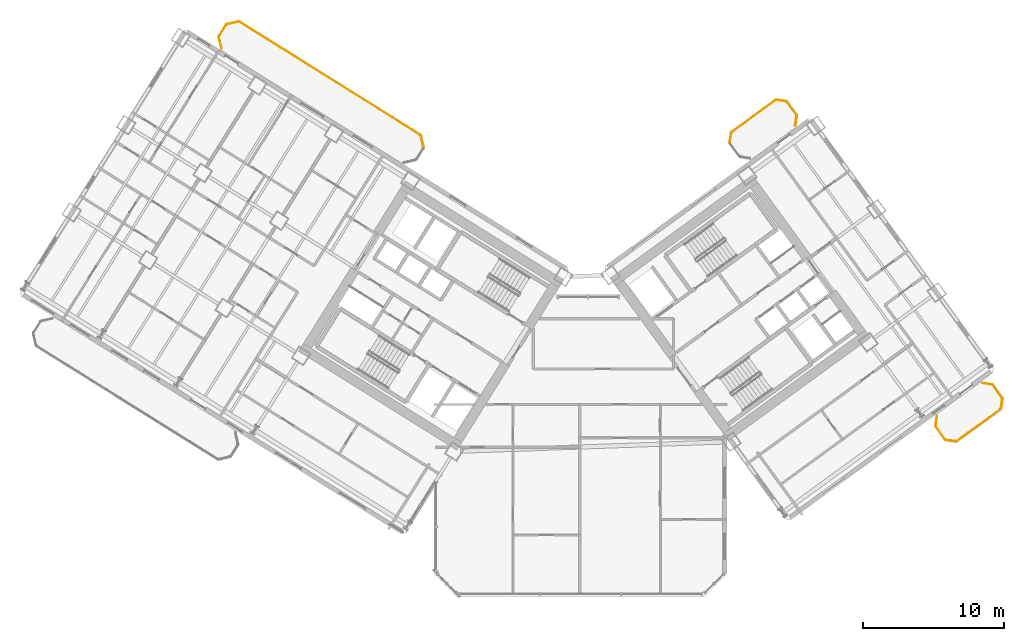
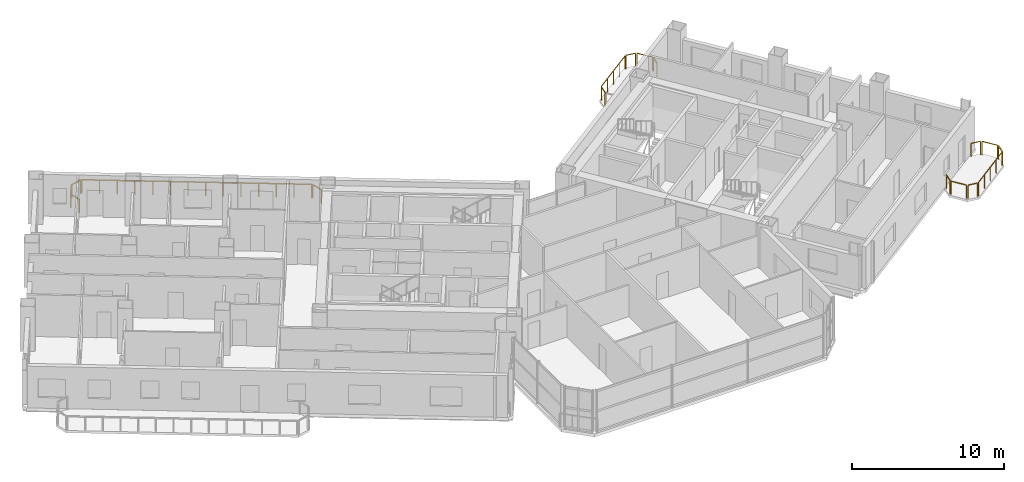
# One storey, part 24 of 24: 17 railings.
"""IFC4 building model written with IfcOpenShell, lengths in metres."""

from ifc_helpers import new_model, si_unit, direction, frame, origin, origin_2d, place, context, subcontext, project, spatial, rectangle, extrude, source, transform, mapped, material, type_object, element, save


model = new_model("IFC4")

# Units and contexts
model_context = context("Model", 3, precision=1e-05, world=origin(), true_north=direction((0.0, 1.0)))
body_context = subcontext(model_context, "Body", "Model", "MODEL_VIEW")
ifc_project = project(units=[si_unit("LENGTHUNIT", "METRE"), si_unit("AREAUNIT", "SQUARE_METRE"), si_unit("VOLUMEUNIT", "CUBIC_METRE"), si_unit("PLANEANGLEUNIT", "RADIAN"), si_unit("MASSUNIT", "GRAM", prefix="KILO")], contexts=[model_context])

# Site, building, storey
site_placement = place(None, origin())
site = spatial("IfcSite", under=ifc_project, at=site_placement, CompositionType="ELEMENT")
building_placement = place(site_placement, origin())
building = spatial("IfcBuilding", under=site, at=building_placement, Name="Tlacorven Tower", CompositionType="ELEMENT")
storey_placement = place(building_placement, frame((0.0, 0.0, 45.60009765625)))
storey = spatial("IfcBuildingStorey", under=building, at=storey_placement, Name="L11", CompositionType="ELEMENT", Elevation=45.60009765625)

# Railings
ifc_material = material(Name="Aluminium and painted steel balustrade", Category="steel")
railing_type = type_object("IfcRailingType", Name="RL-BAL-1100", PredefinedType="BALUSTRADE", material=ifc_material)
shared_shape_1 = source(origin(), body_context, "Body", "SweptSolid", [
    extrude(rectangle(XDim=0.048095703125, YDim=0.048095703125, at=origin_2d()), frame((0.0, 0.0, 1.076171875), z_axis=(0.225058334816, -0.974345290916, 0.0), x_axis=(0.974345290916, 0.225058334816, 0.0)), (0.0, 0.0, 1.0), 0.80712890625),
    extrude(rectangle(XDim=0.0419921875, YDim=0.0419921875, at=origin_2d()), origin(), (0.0, 0.0, 1.0), 1.052001953125),
    extrude(rectangle(XDim=0.0419921875, YDim=0.0419921875, at=origin_2d()), frame((0.181640625, -0.786376953125, 0.0)), (0.0, 0.0, 1.0), 1.052001953125),
])
railing_1_placement = place(storey_placement, frame((30.6796875, 34.466064453125, 0.0)))
element("IfcRailing", 1, at=railing_1_placement, inside=storey, type_object=railing_type, Name="BAL-L11-W-IN Guard Railing 1", PredefinedType="BALUSTRADE", context=body_context, shape_type="MappedRepresentation", body=[
    mapped(shared_shape_1, transform((0.0, 0.0, 0.0), scale=1.0)),
])
shared_shape_2 = source(origin(), body_context, "Body", "SweptSolid", [
    extrude(rectangle(XDim=0.048095703125, YDim=0.048095703125, at=origin_2d()), frame((0.0, 0.0, 1.076171875), z_axis=(-0.225058334816, 0.974345290916, 0.0), x_axis=(-0.974345290916, -0.225058334816, 0.0)), (0.0, 0.0, 1.0), 0.80712890625),
    extrude(rectangle(XDim=0.0419921875, YDim=0.0419921875, at=origin_2d()), origin(), (0.0, 0.0, 1.0), 1.052001953125),
    extrude(rectangle(XDim=0.0419921875, YDim=0.0419921875, at=origin_2d()), frame((-0.181640625, 0.786376953125, 0.0)), (0.0, 0.0, 1.0), 1.052001953125),
])
railing_2_placement = place(storey_placement, frame((16.5361328125, 40.68115234375, 0.0)))
element("IfcRailing", 2, at=railing_2_placement, inside=storey, type_object=railing_type, Name="BAL-L11-W-IN Guard Railing 4", PredefinedType="BALUSTRADE", context=body_context, shape_type="MappedRepresentation", body=[
    mapped(shared_shape_2, transform((0.0, 0.0, 0.0), scale=1.0)),
])
shared_shape_3 = source(origin(), body_context, "Body", "SweptSolid", [
    extrude(rectangle(XDim=0.048095703125, YDim=0.048095703125, at=origin_2d()), frame((0.0, 0.0, 1.076171875), z_axis=(0.52987865805, 0.848073468364, 0.0), x_axis=(-0.848073468364, 0.52987865805, 0.0)), (0.0, 0.0, 1.0), 0.912353515625),
    extrude(rectangle(XDim=0.0419921875, YDim=0.0419921875, at=origin_2d()), origin(), (0.0, 0.0, 1.0), 1.052001953125),
    extrude(rectangle(XDim=0.0419921875, YDim=0.0419921875, at=origin_2d()), frame((0.4833984375, 0.773681640625, 0.0)), (0.0, 0.0, 1.0), 1.052001953125),
])
railing_3_placement = place(storey_placement, frame((16.369873046875, 41.55859375, 0.0)))
element("IfcRailing", 3, at=railing_3_placement, inside=storey, type_object=railing_type, Name="BAL-L11-W-IN Guard Railing 5", PredefinedType="BALUSTRADE", context=body_context, shape_type="MappedRepresentation", body=[
    mapped(shared_shape_3, transform((0.0, 0.0, 0.0), scale=1.0)),
])
shared_shape_4 = source(origin(), body_context, "Body", "SweptSolid", [
    extrude(rectangle(XDim=0.048095703125, YDim=0.048095703125, at=origin_2d()), frame((0.0, 0.0, 1.076171875), z_axis=(0.974411586182, 0.224771129628, 0.0), x_axis=(-0.224771129628, 0.974411586182, 0.0)), (0.0, 0.0, 1.0), 0.80712890625),
    extrude(rectangle(XDim=0.0419921875, YDim=0.0419921875, at=origin_2d()), origin(), (0.0, 0.0, 1.0), 1.052001953125),
    extrude(rectangle(XDim=0.0419921875, YDim=0.0419921875, at=origin_2d()), frame((0.786376953125, 0.181396484375, 0.0)), (0.0, 0.0, 1.0), 1.052001953125),
])
railing_4_placement = place(storey_placement, frame((16.928466796875, 42.385986328125, 0.0)))
element("IfcRailing", 4, at=railing_4_placement, inside=storey, type_object=railing_type, Name="BAL-L11-W-IN Guard Railing 6", PredefinedType="BALUSTRADE", context=body_context, shape_type="MappedRepresentation", body=[
    mapped(shared_shape_4, transform((0.0, 0.0, 0.0), scale=1.0)),
])
shared_shape_5 = source(origin(), body_context, "Body", "SweptSolid", [
    extrude(rectangle(XDim=0.048095703125, YDim=0.048095703125, at=origin_2d()), frame((0.0, 0.0, 1.076171875), z_axis=(0.848044572804, -0.529924902733, 0.0), x_axis=(0.529924902733, 0.848044572804, 0.0)), (0.0, 0.0, 1.0), 15.1171875),
    extrude(rectangle(XDim=0.0419921875, YDim=0.0419921875, at=origin_2d()), origin(), (0.0, 0.0, 1.0), 1.052001953125),
    extrude(rectangle(XDim=0.0419921875, YDim=0.0419921875, at=origin_2d()), frame((0.986083984375, -0.6162109375, 0.0)), (0.0, 0.0, 1.0), 1.052001953125),
    extrude(rectangle(XDim=0.0419921875, YDim=0.0419921875, at=origin_2d()), frame((1.972412109375, -1.232421875, 0.0)), (0.0, 0.0, 1.0), 1.052001953125),
    extrude(rectangle(XDim=0.0419921875, YDim=0.0419921875, at=origin_2d()), frame((2.95849609375, -1.8486328125, 0.0)), (0.0, 0.0, 1.0), 1.052001953125),
    extrude(rectangle(XDim=0.0419921875, YDim=0.0419921875, at=origin_2d()), frame((3.944580078125, -2.46484375, 0.0)), (0.0, 0.0, 1.0), 1.052001953125),
    extrude(rectangle(XDim=0.0419921875, YDim=0.0419921875, at=origin_2d()), frame((4.930908203125, -3.0810546875, 0.0)), (0.0, 0.0, 1.0), 1.052001953125),
    extrude(rectangle(XDim=0.0419921875, YDim=0.0419921875, at=origin_2d()), frame((5.9169921875, -3.697265625, 0.0)), (0.0, 0.0, 1.0), 1.052001953125),
    extrude(rectangle(XDim=0.0419921875, YDim=0.0419921875, at=origin_2d()), frame((6.903076171875, -4.313720703125, 0.0)), (0.0, 0.0, 1.0), 1.052001953125),
    extrude(rectangle(XDim=0.0419921875, YDim=0.0419921875, at=origin_2d()), frame((7.88916015625, -4.929931640625, 0.0)), (0.0, 0.0, 1.0), 1.052001953125),
    extrude(rectangle(XDim=0.0419921875, YDim=0.0419921875, at=origin_2d()), frame((8.87548828125, -5.546142578125, 0.0)), (0.0, 0.0, 1.0), 1.052001953125),
    extrude(rectangle(XDim=0.0419921875, YDim=0.0419921875, at=origin_2d()), frame((9.861572265625, -6.162353515625, 0.0)), (0.0, 0.0, 1.0), 1.052001953125),
    extrude(rectangle(XDim=0.0419921875, YDim=0.0419921875, at=origin_2d()), frame((10.84765625, -6.778564453125, 0.0)), (0.0, 0.0, 1.0), 1.052001953125),
    extrude(rectangle(XDim=0.0419921875, YDim=0.0419921875, at=origin_2d()), frame((11.833984375, -7.394775390625, 0.0)), (0.0, 0.0, 1.0), 1.052001953125),
    extrude(rectangle(XDim=0.0419921875, YDim=0.0419921875, at=origin_2d()), frame((12.820068359375, -8.010986328125, 0.0)), (0.0, 0.0, 1.0), 1.052001953125),
])
railing_5_placement = place(storey_placement, frame((17.805908203125, 42.55224609375, 0.0)))
element("IfcRailing", 5, at=railing_5_placement, inside=storey, type_object=railing_type, Name="BAL-L11-W-IN Guard Railing 7", PredefinedType="BALUSTRADE", context=body_context, shape_type="MappedRepresentation", body=[
    mapped(shared_shape_5, transform((0.0, 0.0, 0.0), scale=1.0)),
])
shared_shape_6 = source(origin(), body_context, "Body", "SweptSolid", [
    extrude(rectangle(XDim=0.048095703125, YDim=0.048095703125, at=origin_2d()), frame((0.0, 0.0, 1.076171875), z_axis=(-0.987661653326, 0.156602868908, 0.0), x_axis=(-0.156602868908, -0.987661653326, 0.0)), (0.0, 0.0, 1.0), 0.665771484375),
    extrude(rectangle(XDim=0.0419921875, YDim=0.0419921875, at=origin_2d()), origin(), (0.0, 0.0, 1.0), 1.052001953125),
    extrude(rectangle(XDim=0.0419921875, YDim=0.0419921875, at=origin_2d()), frame((-0.657470703125, 0.104248046875, 0.0)), (0.0, 0.0, 1.0), 1.052001953125),
])
railing_6_placement = place(storey_placement, frame((68.59521484375, 12.7919921875, 0.0)))
element("IfcRailing", 6, at=railing_6_placement, inside=storey, type_object=railing_type, Name="BAL-L11-E-OUT Guard Railing 1", PredefinedType="BALUSTRADE", context=body_context, shape_type="MappedRepresentation", body=[
    mapped(shared_shape_6, transform((0.0, 0.0, 0.0), scale=1.0)),
])
shared_shape_7 = source(origin(), body_context, "Body", "SweptSolid", [
    extrude(rectangle(XDim=0.048095703125, YDim=0.048095703125, at=origin_2d()), frame((0.0, 0.0, 1.076171875), z_axis=(-0.58788449985, 0.808944877501, 0.0), x_axis=(-0.808944877501, -0.58788449985, 0.0)), (0.0, 0.0, 1.0), 1.112060546875),
    extrude(rectangle(XDim=0.0419921875, YDim=0.0419921875, at=origin_2d()), origin(), (0.0, 0.0, 1.0), 1.052001953125),
    extrude(rectangle(XDim=0.0419921875, YDim=0.0419921875, at=origin_2d()), frame((-0.65380859375, 0.899658203125, 0.0)), (0.0, 0.0, 1.0), 1.052001953125),
])
railing_7_placement = place(storey_placement, frame((67.85888671875, 12.944580078125, 0.0)))
element("IfcRailing", 7, at=railing_7_placement, inside=storey, type_object=railing_type, Name="BAL-L11-E-OUT Guard Railing 2", PredefinedType="BALUSTRADE", context=body_context, shape_type="MappedRepresentation", body=[
    mapped(shared_shape_7, transform((0.0, 0.0, 0.0), scale=1.0)),
])
shared_shape_8 = source(origin(), body_context, "Body", "SweptSolid", [
    extrude(rectangle(XDim=0.048095703125, YDim=0.048095703125, at=origin_2d()), frame((0.0, 0.0, 1.076171875), z_axis=(0.156602868908, 0.987661653326, 0.0), x_axis=(-0.987661653326, 0.156602868908, 0.0)), (0.0, 0.0, 1.0), 0.665771484375),
    extrude(rectangle(XDim=0.0419921875, YDim=0.0419921875, at=origin_2d()), origin(), (0.0, 0.0, 1.0), 1.052001953125),
    extrude(rectangle(XDim=0.0419921875, YDim=0.0419921875, at=origin_2d()), frame((0.104248046875, 0.657470703125, 0.0)), (0.0, 0.0, 1.0), 1.052001953125),
])
railing_8_placement = place(storey_placement, frame((67.18359375, 13.93408203125, 0.0)))
element("IfcRailing", 8, at=railing_8_placement, inside=storey, type_object=railing_type, Name="BAL-L11-E-OUT Guard Railing 3", PredefinedType="BALUSTRADE", context=body_context, shape_type="MappedRepresentation", body=[
    mapped(shared_shape_8, transform((0.0, 0.0, 0.0), scale=1.0)),
])
shared_shape_9 = source(origin(), body_context, "Body", "SweptSolid", [
    extrude(rectangle(XDim=0.048095703125, YDim=0.048095703125, at=origin_2d()), frame((0.0, 0.0, 1.076171875), z_axis=(0.987718317463, -0.156245081039, 0.0), x_axis=(0.156245081039, 0.987718317463, 0.0)), (0.0, 0.0, 1.0), 0.66552734375),
    extrude(rectangle(XDim=0.0419921875, YDim=0.0419921875, at=origin_2d()), origin(), (0.0, 0.0, 1.0), 1.052001953125),
    extrude(rectangle(XDim=0.0419921875, YDim=0.0419921875, at=origin_2d()), frame((0.657470703125, -0.10400390625, 0.0)), (0.0, 0.0, 1.0), 1.052001953125),
])
railing_9_placement = place(storey_placement, frame((70.513916015625, 16.935546875, 0.0)))
element("IfcRailing", 9, at=railing_9_placement, inside=storey, type_object=railing_type, Name="BAL-L11-E-OUT Guard Railing 4", PredefinedType="BALUSTRADE", context=body_context, shape_type="MappedRepresentation", body=[
    mapped(shared_shape_9, transform((0.0, 0.0, 0.0), scale=1.0)),
])
shared_shape_10 = source(origin(), body_context, "Body", "SweptSolid", [
    extrude(rectangle(XDim=0.048095703125, YDim=0.048095703125, at=origin_2d()), frame((0.0, 0.0, 1.076171875), z_axis=(0.58788449985, -0.808944877501, 0.0), x_axis=(0.808944877501, 0.58788449985, 0.0)), (0.0, 0.0, 1.0), 1.112060546875),
    extrude(rectangle(XDim=0.0419921875, YDim=0.0419921875, at=origin_2d()), origin(), (0.0, 0.0, 1.0), 1.052001953125),
    extrude(rectangle(XDim=0.0419921875, YDim=0.0419921875, at=origin_2d()), frame((0.65380859375, -0.899658203125, 0.0)), (0.0, 0.0, 1.0), 1.052001953125),
])
for number, where, name in (
    (10, (71.250244140625, 16.783203125, 0.0), "BAL-L11-E-OUT Guard Railing 5"),
    (11, (56.658447265625, 36.866943359375, 0.0), "BAL-L11-E-IN Guard Railing 6"),
):
    element("IfcRailing", number, at=place(storey_placement, frame(where)), inside=storey, type_object=railing_type, Name=name, PredefinedType="BALUSTRADE", context=body_context, shape_type="MappedRepresentation", body=[
        mapped(shared_shape_10, transform((0.0, 0.0, 0.0), scale=1.0)),
    ])
shared_shape_11 = source(origin(), body_context, "Body", "SweptSolid", [
    extrude(rectangle(XDim=0.048095703125, YDim=0.048095703125, at=origin_2d()), frame((0.0, 0.0, 1.076171875), z_axis=(-0.156188498702, -0.987727266442, 0.0), x_axis=(0.987727266442, -0.156188498702, 0.0)), (0.0, 0.0, 1.0), 0.665771484375),
    extrude(rectangle(XDim=0.0419921875, YDim=0.0419921875, at=origin_2d()), origin(), (0.0, 0.0, 1.0), 1.052001953125),
    extrude(rectangle(XDim=0.0419921875, YDim=0.0419921875, at=origin_2d()), frame((-0.10400390625, -0.65771484375, 0.0)), (0.0, 0.0, 1.0), 1.052001953125),
])
railing_10_placement = place(storey_placement, frame((71.925537109375, 15.793701171875, 0.0)))
element("IfcRailing", 12, at=railing_10_placement, inside=storey, type_object=railing_type, Name="BAL-L11-E-OUT Guard Railing 6", PredefinedType="BALUSTRADE", context=body_context, shape_type="MappedRepresentation", body=[
    mapped(shared_shape_11, transform((0.0, 0.0, 0.0), scale=1.0)),
])
shared_shape_12 = source(origin(), body_context, "Body", "SweptSolid", [
    extrude(rectangle(XDim=0.048095703125, YDim=0.048095703125, at=origin_2d()), frame((0.0, 0.0, 1.076171875), z_axis=(-0.809018102573, -0.587783726986, 0.0), x_axis=(0.587783726986, -0.809018102573, 0.0)), (0.0, 0.0, 1.0), 3.817138671875),
    extrude(rectangle(XDim=0.0419921875, YDim=0.0419921875, at=origin_2d()), origin(), (0.0, 0.0, 1.0), 1.052001953125),
    extrude(rectangle(XDim=0.0419921875, YDim=0.0419921875, at=origin_2d()), frame((-0.77197265625, -0.56103515625, 0.0)), (0.0, 0.0, 1.0), 1.052001953125),
    extrude(rectangle(XDim=0.0419921875, YDim=0.0419921875, at=origin_2d()), frame((-1.5439453125, -1.121826171875, 0.0)), (0.0, 0.0, 1.0), 1.052001953125),
    extrude(rectangle(XDim=0.0419921875, YDim=0.0419921875, at=origin_2d()), frame((-2.316162109375, -1.6826171875, 0.0)), (0.0, 0.0, 1.0), 1.052001953125),
    extrude(rectangle(XDim=0.0419921875, YDim=0.0419921875, at=origin_2d()), frame((-3.088134765625, -2.24365234375, 0.0)), (0.0, 0.0, 1.0), 1.052001953125),
])
railing_11_placement = place(storey_placement, frame((71.773193359375, 15.057373046875, 0.0)))
element("IfcRailing", 13, at=railing_11_placement, inside=storey, type_object=railing_type, Name="BAL-L11-E-OUT Guard Railing 7", PredefinedType="BALUSTRADE", context=body_context, shape_type="MappedRepresentation", body=[
    mapped(shared_shape_12, transform((0.0, 0.0, 0.0), scale=1.0)),
])
shared_shape_13 = source(origin(), body_context, "Body", "SweptSolid", [
    extrude(rectangle(XDim=0.048095703125, YDim=0.048095703125, at=origin_2d()), frame((0.0, 0.0, 1.076171875), z_axis=(0.156546163506, 0.987670642822, 0.0), x_axis=(-0.987670642822, 0.156546163506, 0.0)), (0.0, 0.0, 1.0), 0.666015625),
    extrude(rectangle(XDim=0.0419921875, YDim=0.0419921875, at=origin_2d()), origin(), (0.0, 0.0, 1.0), 1.052001953125),
    extrude(rectangle(XDim=0.0419921875, YDim=0.0419921875, at=origin_2d()), frame((0.104248046875, 0.65771484375, 0.0)), (0.0, 0.0, 1.0), 1.052001953125),
])
railing_12_placement = place(storey_placement, frame((52.591796875, 34.017822265625, 0.0)))
element("IfcRailing", 14, at=railing_12_placement, inside=storey, type_object=railing_type, Name="BAL-L11-E-IN Guard Railing 3", PredefinedType="BALUSTRADE", context=body_context, shape_type="MappedRepresentation", body=[
    mapped(shared_shape_13, transform((0.0, 0.0, 0.0), scale=1.0)),
])
shared_shape_14 = source(origin(), body_context, "Body", "SweptSolid", [
    extrude(rectangle(XDim=0.048095703125, YDim=0.048095703125, at=origin_2d()), frame((0.0, 0.0, 1.076171875), z_axis=(0.809040198054, 0.587753313843, 0.0), x_axis=(-0.587753313843, 0.809040198054, 0.0)), (0.0, 0.0, 1.0), 3.8173828125),
    extrude(rectangle(XDim=0.0419921875, YDim=0.0419921875, at=origin_2d()), origin(), (0.0, 0.0, 1.0), 1.052001953125),
    extrude(rectangle(XDim=0.0419921875, YDim=0.0419921875, at=origin_2d()), frame((0.77197265625, 0.56103515625, 0.0)), (0.0, 0.0, 1.0), 1.052001953125),
    extrude(rectangle(XDim=0.0419921875, YDim=0.0419921875, at=origin_2d()), frame((1.544189453125, 1.121826171875, 0.0)), (0.0, 0.0, 1.0), 1.052001953125),
    extrude(rectangle(XDim=0.0419921875, YDim=0.0419921875, at=origin_2d()), frame((2.31640625, 1.6826171875, 0.0)), (0.0, 0.0, 1.0), 1.052001953125),
    extrude(rectangle(XDim=0.0419921875, YDim=0.0419921875, at=origin_2d()), frame((3.08837890625, 2.24365234375, 0.0)), (0.0, 0.0, 1.0), 1.052001953125),
])
railing_13_placement = place(storey_placement, frame((52.744140625, 34.754150390625, 0.0)))
element("IfcRailing", 15, at=railing_13_placement, inside=storey, type_object=railing_type, Name="BAL-L11-E-IN Guard Railing 4", PredefinedType="BALUSTRADE", context=body_context, shape_type="MappedRepresentation", body=[
    mapped(shared_shape_14, transform((0.0, 0.0, 0.0), scale=1.0)),
])
shared_shape_15 = source(origin(), body_context, "Body", "SweptSolid", [
    extrude(rectangle(XDim=0.048095703125, YDim=0.048095703125, at=origin_2d()), frame((0.0, 0.0, 1.076171875), z_axis=(0.987670642822, -0.156546163506, 0.0), x_axis=(0.156546163506, 0.987670642822, 0.0)), (0.0, 0.0, 1.0), 0.666015625),
    extrude(rectangle(XDim=0.0419921875, YDim=0.0419921875, at=origin_2d()), origin(), (0.0, 0.0, 1.0), 1.052001953125),
    extrude(rectangle(XDim=0.0419921875, YDim=0.0419921875, at=origin_2d()), frame((0.65771484375, -0.104248046875, 0.0)), (0.0, 0.0, 1.0), 1.052001953125),
])
railing_14_placement = place(storey_placement, frame((55.922119140625, 37.01953125, 0.0)))
element("IfcRailing", 16, at=railing_14_placement, inside=storey, type_object=railing_type, Name="BAL-L11-E-IN Guard Railing 5", PredefinedType="BALUSTRADE", context=body_context, shape_type="MappedRepresentation", body=[
    mapped(shared_shape_15, transform((0.0, 0.0, 0.0), scale=1.0)),
])
shared_shape_16 = source(origin(), body_context, "Body", "SweptSolid", [
    extrude(rectangle(XDim=0.048095703125, YDim=0.048095703125, at=origin_2d()), frame((0.0, 0.0, 1.076171875), z_axis=(-0.156245081039, -0.987718317463, 0.0), x_axis=(0.987718317463, -0.156245081039, 0.0)), (0.0, 0.0, 1.0), 0.66552734375),
    extrude(rectangle(XDim=0.0419921875, YDim=0.0419921875, at=origin_2d()), origin(), (0.0, 0.0, 1.0), 1.052001953125),
    extrude(rectangle(XDim=0.0419921875, YDim=0.0419921875, at=origin_2d()), frame((-0.10400390625, -0.657470703125, 0.0)), (0.0, 0.0, 1.0), 1.052001953125),
])
railing_15_placement = place(storey_placement, frame((57.333740234375, 35.87744140625, 0.0)))
element("IfcRailing", 17, at=railing_15_placement, inside=storey, type_object=railing_type, Name="BAL-L11-E-IN Guard Railing 7", PredefinedType="BALUSTRADE", context=body_context, shape_type="MappedRepresentation", body=[
    mapped(shared_shape_16, transform((0.0, 0.0, 0.0), scale=1.0)),
])

save(model, "model.ifc")
